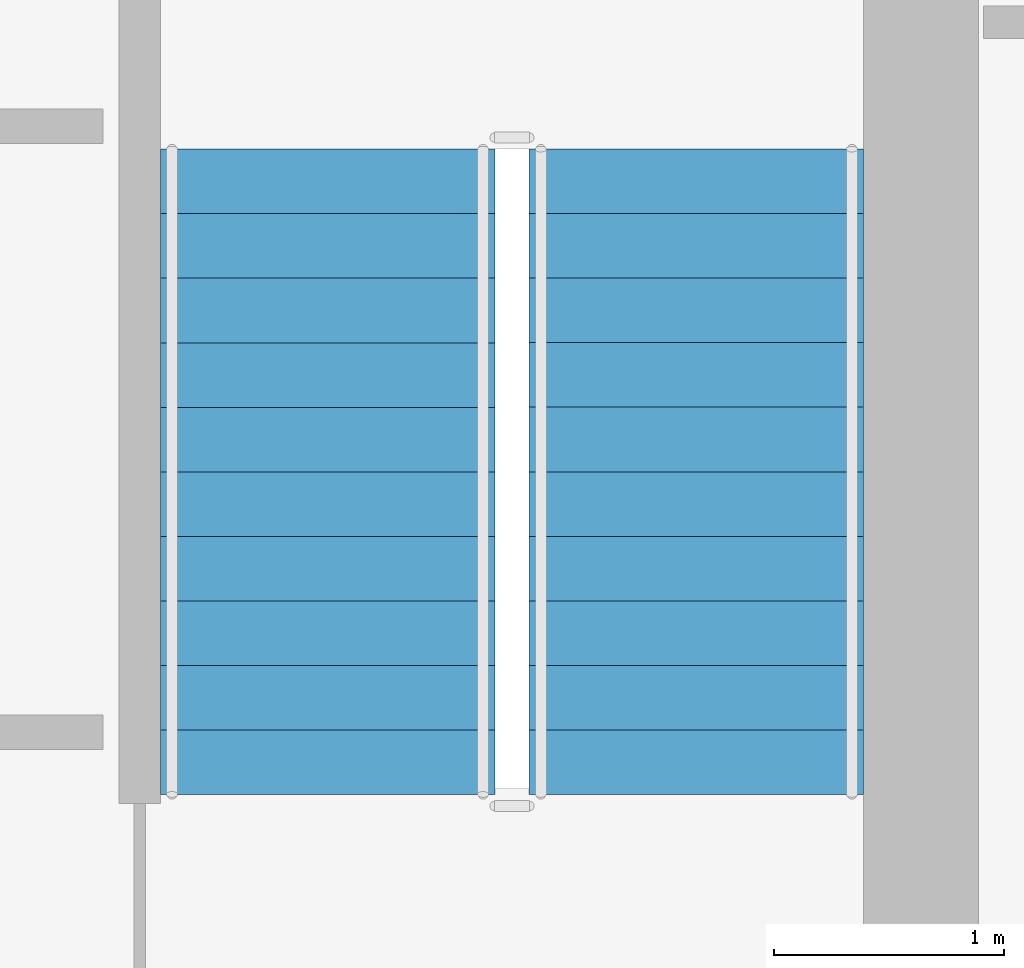
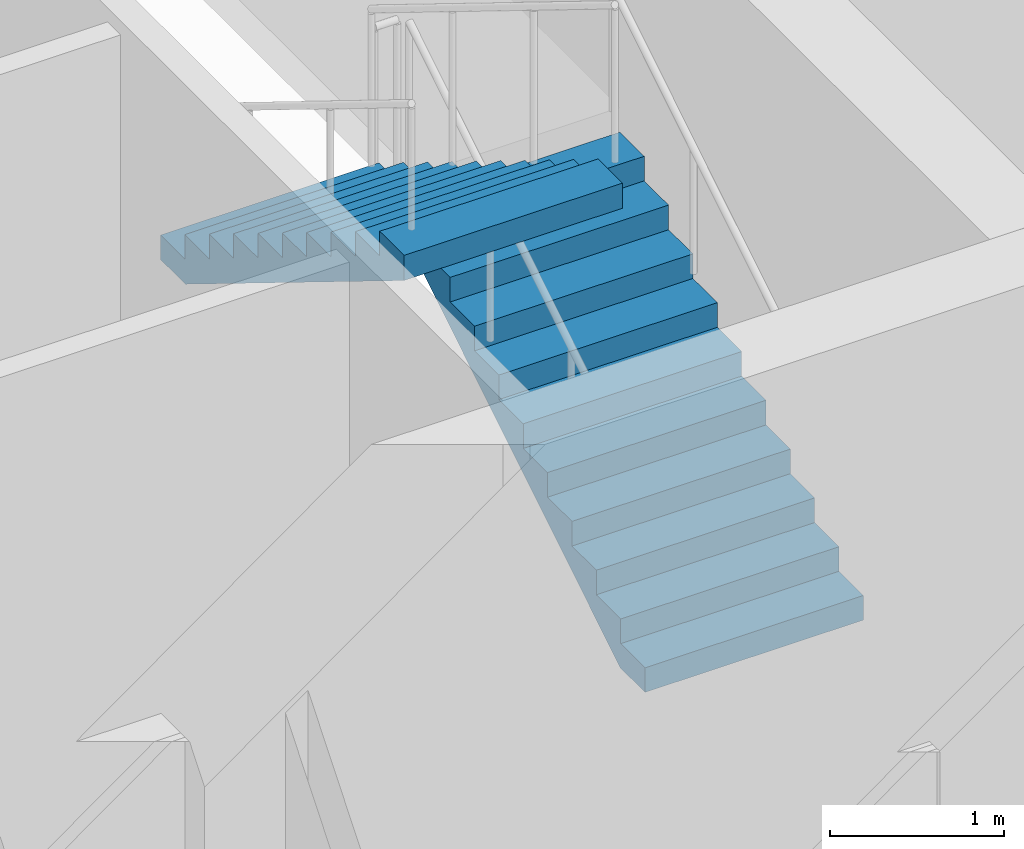
# One storey, part 32 of 35: 2 stair flights, 1 element without a shape of its own.
"""IFC4 building model written with IfcOpenShell, lengths in metres."""

from ifc_helpers import new_model, si_unit, direction, frame, origin, place, context, subcontext, project, spatial, polyline, outline, extrude, material, type_object, element, aggregate, save


model = new_model("IFC4")

# Units and contexts
model_context = context("Model", 3, precision=1e-05, world=origin(), true_north=direction((0.0, 1.0)))
body_context = subcontext(model_context, "Body", "Model", "MODEL_VIEW")
ifc_project = project(units=[si_unit("LENGTHUNIT", "METRE"), si_unit("AREAUNIT", "SQUARE_METRE"), si_unit("VOLUMEUNIT", "CUBIC_METRE"), si_unit("PLANEANGLEUNIT", "RADIAN"), si_unit("MASSUNIT", "GRAM", prefix="KILO")], contexts=[model_context])

# Site, building, storey
site_placement = place(None, origin())
site = spatial("IfcSite", under=ifc_project, at=site_placement, CompositionType="ELEMENT")
building_placement = place(site_placement, origin())
building = spatial("IfcBuilding", under=site, at=building_placement, Name="Saevonmaru Cultural Tower", CompositionType="ELEMENT")
storey_placement = place(building_placement, frame((0.0, 0.0, 179.0)))
storey = spatial("IfcBuildingStorey", under=building, at=storey_placement, Name="L40", CompositionType="ELEMENT", Elevation=179.0)

# Stair, stair flights
ifc_material_1 = material(Name="Concrete C40/50", Category="concrete")
stair_type = type_object("IfcStairType", Name="STR-DOGLEG-RC", PredefinedType="HALF_TURN_STAIR", material=ifc_material_1)
stair_placement = place(storey_placement, origin())
stair = element("IfcStair", 1, at=stair_placement, inside=storey, type_object=stair_type, Name="L40 Protected exit stair ST-2", PredefinedType="HALF_TURN_STAIR")
ifc_material_2 = material(Name="Precast concrete C40/50", Category="concrete")
stair_flight_type = type_object("IfcStairFlightType", Name="STF-PRECAST-180", PredefinedType="STRAIGHT", material=ifc_material_2)
stair_flight_1_placement = place(storey_placement, frame((45.074951171875, 44.85009765625, 0.0), z_axis=(0.0, 0.0, 1.0), x_axis=(0.0, 1.0, 0.0)))
stair_flight_1 = element("IfcStairFlight", 2, at=stair_flight_1_placement, type_object=stair_flight_type, Name="ST-2-L40 flight 1", NumberOfRisers=11, NumberOfTreads=10, PredefinedType="STRAIGHT", RiserHeight=0.172727273, TreadLength=0.28, context=body_context, shape_type="SweptSolid", body=[
    extrude(outline(polyline([(0.0, 0.0), (0.0, 0.172607421875), (0.280029296875, 0.172607421875), (0.280029296875, 0.345458984375), (0.56005859375, 0.345458984375), (0.56005859375, 0.51806640625), (0.840087890625, 0.51806640625), (0.840087890625, 0.69091796875), (1.1201171875, 0.69091796875), (1.1201171875, 0.863525390625), (1.39990234375, 0.863525390625), (1.39990234375, 1.036376953125), (1.679931640625, 1.036376953125), (1.679931640625, 1.208984375), (1.9599609375, 1.208984375), (1.9599609375, 1.3818359375), (2.239990234375, 1.3818359375), (2.239990234375, 1.554443359375), (2.52001953125, 1.554443359375), (2.52001953125, 1.727294921875), (2.800048828125, 1.727294921875), (2.800048828125, 1.89990234375), (2.800048828125, 1.551025390625), (0.285400390625, 0.0), (0.0, 0.0)])), frame((0.0, 0.72509765625, 0.0), z_axis=(0.0, -1.0, 0.0), x_axis=(1.0, 0.0, 0.0)), (0.0, 0.0, 1.0), 1.449951171875),
])
stair_flight_2_placement = place(storey_placement, frame((43.47509765625, 47.64990234375, 1.89990234375), z_axis=(0.0, 0.0, 1.0), x_axis=(0.0, -1.0, 0.0)))
stair_flight_2 = element("IfcStairFlight", 3, at=stair_flight_2_placement, type_object=stair_flight_type, Name="ST-2-L40 flight 2", NumberOfRisers=11, NumberOfTreads=10, PredefinedType="STRAIGHT", RiserHeight=0.172727273, TreadLength=0.28, context=body_context, shape_type="SweptSolid", body=[
    extrude(outline(polyline([(0.0, 0.0), (0.0, 0.172607421875), (0.280029296875, 0.172607421875), (0.280029296875, 0.345458984375), (0.56005859375, 0.345458984375), (0.56005859375, 0.51806640625), (0.840087890625, 0.51806640625), (0.840087890625, 0.69091796875), (1.1201171875, 0.69091796875), (1.1201171875, 0.863525390625), (1.39990234375, 0.863525390625), (1.39990234375, 1.036376953125), (1.679931640625, 1.036376953125), (1.679931640625, 1.208984375), (1.9599609375, 1.208984375), (1.9599609375, 1.3818359375), (2.239990234375, 1.3818359375), (2.239990234375, 1.554443359375), (2.52001953125, 1.554443359375), (2.52001953125, 1.727294921875), (2.800048828125, 1.727294921875), (2.800048828125, 1.89990234375), (2.800048828125, 1.551025390625), (0.285400390625, 0.0), (0.0, 0.0)])), frame((0.0, 0.72509765625, 0.0), z_axis=(0.0, -1.0, 0.0), x_axis=(1.0, 0.0, 0.0)), (0.0, 0.0, 1.0), 1.449951171875),
])
aggregate(stair, [stair_flight_1, stair_flight_2])

save(model, "model.ifc")
